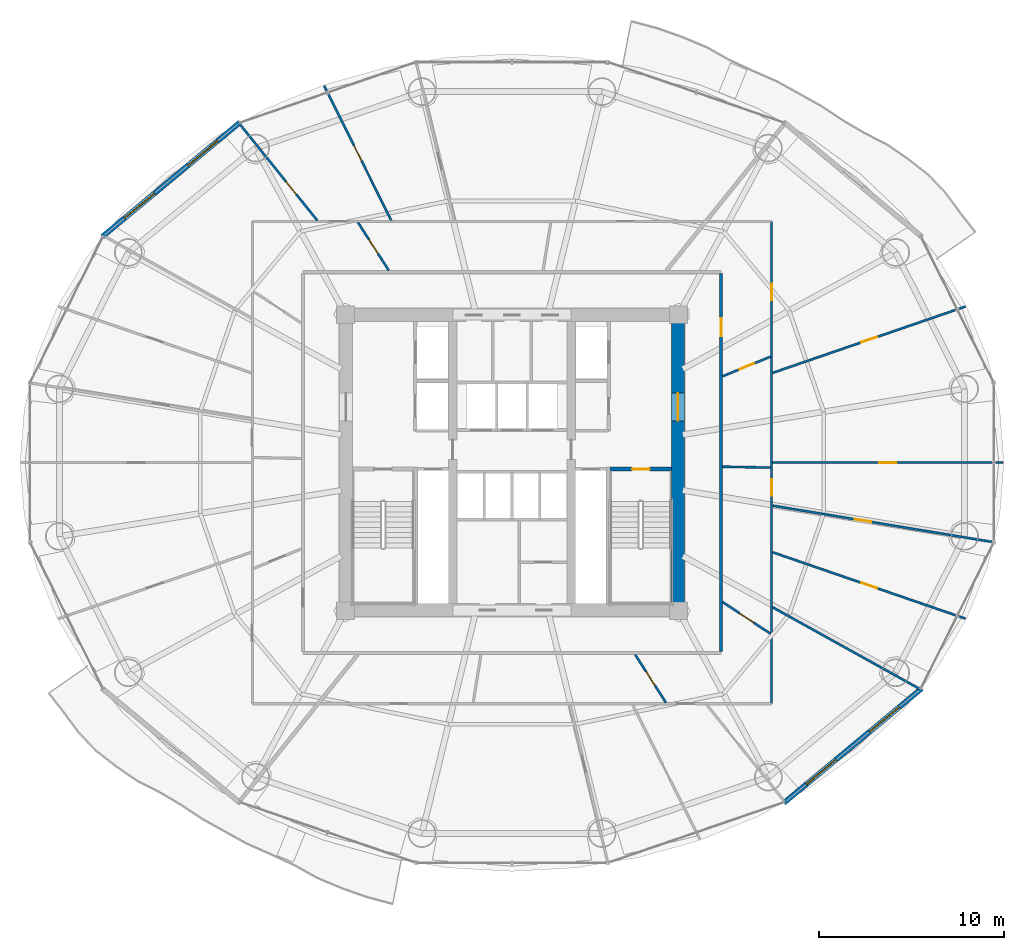
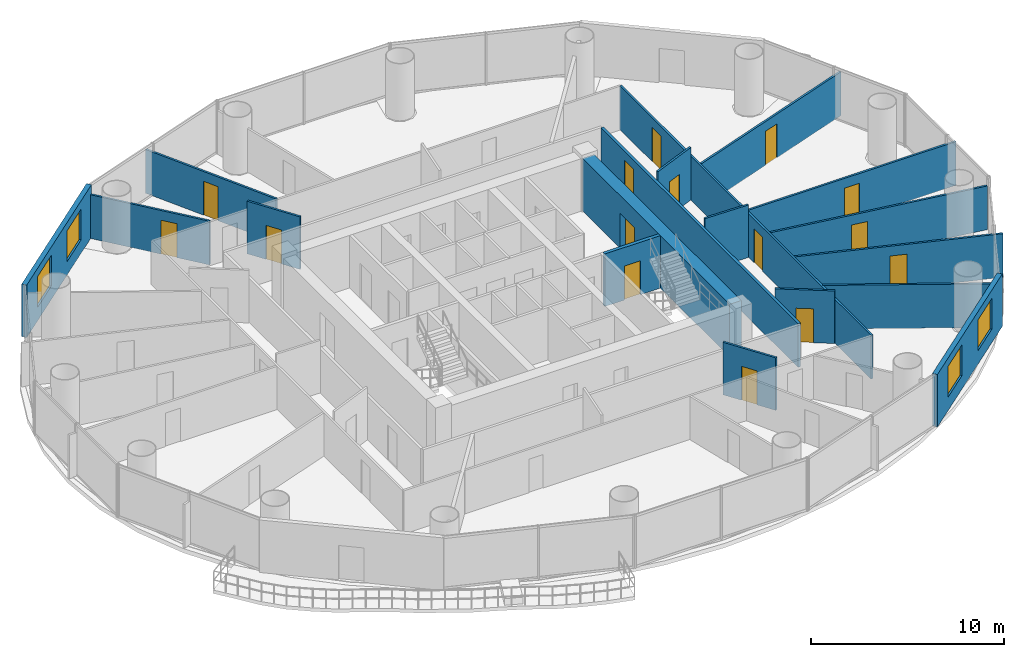
# One storey, part 24 of 29: 18 walls, 15 doors, 4 windows, 19 openings.
"""IFC4 building model written with IfcOpenShell, lengths in metres."""

from ifc_helpers import new_model, si_unit, direction, frame, frame_2d, origin, place, context, subcontext, project, spatial, rectangle, extrude, source, transform, mapped, material, layer, layer_set, type_object, element, fill, save


model = new_model("IFC4")

# Units and contexts
model_context = context("Model", 3, precision=1e-05, world=origin(), true_north=direction((-0.2419218956, 0.970295726276)))
body_context = subcontext(model_context, "Body", "Model", "MODEL_VIEW")
ifc_project = project(units=[si_unit("LENGTHUNIT", "METRE"), si_unit("AREAUNIT", "SQUARE_METRE"), si_unit("VOLUMEUNIT", "CUBIC_METRE"), si_unit("PLANEANGLEUNIT", "RADIAN"), si_unit("MASSUNIT", "GRAM", prefix="KILO")], contexts=[model_context])

# Site, building, storey
site_placement = place(None, origin())
site = spatial("IfcSite", under=ifc_project, at=site_placement, CompositionType="ELEMENT")
building_placement = place(site_placement, origin())
building = spatial("IfcBuilding", under=site, at=building_placement, Name="Cobrevalo Terracotta Tower", CompositionType="ELEMENT")
storey_placement = place(building_placement, frame((0.0, 0.0, 119.39990234375)))
storey = spatial("IfcBuildingStorey", under=building, at=storey_placement, Name="L31", CompositionType="ELEMENT", Elevation=119.39990234375)

# Wall, opening, door
ifc_material_1 = material(Name="Concrete C60", Category="concrete")
ifc_layer_1 = layer(ifc_material_1, 0.699951171875)
ifc_layer_set_1 = layer_set([ifc_layer_1], Name="Concrete C60")
wall_type_1 = type_object("IfcWallType", Name="Core shear wall 700 mm Concrete C60", PredefinedType="SHEAR", material=ifc_layer_set_1)
wall_1_placement = place(storey_placement, frame((46.97509765625, 19.175048828125, 0.0), z_axis=(0.0, 0.0, 1.0), x_axis=(0.0, 1.0, 0.0)))
wall_1 = element("IfcWall", 1, at=wall_1_placement, inside=storey, type_object=wall_type_1, Name="L31 east core shear wall", PredefinedType="SHEAR", context=body_context, shape_type="SweptSolid", body=[
    extrude(rectangle(XDim=15.25, YDim=0.699951171875, at=frame_2d((7.625, 0.0))), origin(), (0.0, 0.0, 1.0), 3.3251953125),
])
opening_1_placement = place(wall_1_placement, frame((9.875, 0.0, 0.0)))
opening_1 = element("IfcOpeningElement", 2, at=opening_1_placement, cuts=wall_1, Name="Opening ID-14", PredefinedType="OPENING", context=body_context, shape_type="SweptSolid", body=[
    extrude(rectangle(XDim=1.5, YDim=2.199951171875, at=frame_2d((0.75, 1.10009765625))), frame((0.0, 0.35986328125, 0.0), z_axis=(0.0, -1.0, 0.0), x_axis=(1.0, 0.0, 0.0)), (0.0, 0.0, 1.0), 0.719970703125),
])
ifc_material_2 = material(Name="Galvanized fire-rated steel", Category="steel")
door_type_1 = type_object("IfcDoorType", Name="Core cross-lobby double fire door 1500x2200 EI 90", OperationType="NOTDEFINED", PredefinedType="DOOR", material=ifc_material_2)
shared_shape_1 = source(origin(), body_context, "Body", "SweptSolid", [
    extrude(rectangle(XDim=1.5, YDim=2.199951171875, at=frame_2d((0.75, 1.10009765625))), frame((0.0, 0.02490234375, 0.0), z_axis=(0.0, -1.0, 0.0), x_axis=(1.0, 0.0, 0.0)), (0.0, 0.0, 1.0), 0.050048828125),
])
door_1_placement = place(opening_1_placement, frame((1.5, 0.0, 0.0), z_axis=(0.0, 0.0, 1.0), x_axis=(-1.0, 0.0, 0.0)))
door_1 = element("IfcDoor", 3, at=door_1_placement, inside=storey, type_object=door_type_1, Name="L31 east firefighting lobby entrance door", OperationType="DOUBLE_DOOR_SINGLE_SWING", OverallHeight=2.199951171875, OverallWidth=1.5, PredefinedType="DOOR", context=body_context, shape_type="MappedRepresentation", body=[
    mapped(shared_shape_1, transform((0.0, 0.0, 0.0), scale=1.0)),
])
fill(opening_1, door_1)

ifc_material_3 = material(Name="Gypsum board on steel stud", Category="steel")
ifc_layer_2 = layer(ifc_material_3, 0.159912109375)
ifc_layer_set_2 = layer_set([ifc_layer_2], Name="Gypsum board on steel stud")
wall_type_2 = type_object("IfcWallType", Name="Fire-rated corridor acoustic partition wall 160 mm", PredefinedType="PARTITIONING", material=ifc_layer_set_2)
wall_2_placement = place(storey_placement, frame((49.304931640625, 16.574951171875, 0.0), z_axis=(0.0, 0.0, 1.0), x_axis=(0.0, 1.0, 0.0)))
wall_2 = element("IfcWall", 4, at=wall_2_placement, inside=storey, type_object=wall_type_2, Name="L31 interior partition IW-L31-COR-E", PredefinedType="PARTITIONING", context=body_context, shape_type="SweptSolid", body=[
    extrude(rectangle(XDim=20.449951171875, YDim=0.159912109375, at=frame_2d((10.22509765625, 0.0))), origin(), (0.0, 0.0, 1.0), 2.76708984375),
])
opening_2_placement = place(wall_2_placement, frame((17.045654296875, 0.0, 0.0)))
opening_2 = element("IfcOpeningElement", 5, at=opening_2_placement, cuts=wall_2, Name="Opening ID-05", PredefinedType="OPENING", context=body_context, shape_type="SweptSolid", body=[
    extrude(rectangle(XDim=0.97998046875, YDim=2.199951171875, at=frame_2d((0.489990234375, 1.10009765625))), frame((0.0, 0.08984375, 0.0), z_axis=(0.0, -1.0, 0.0), x_axis=(1.0, 0.0, 0.0)), (0.0, 0.0, 1.0), 0.179931640625),
])
ifc_material_4 = material(Name="Solid hardwood timber", Category="wood")
door_type_2 = type_object("IfcDoorType", Name="Residence entrance fire-rated acoustic timber door 980x2200 EI 60", OperationType="NOTDEFINED", PredefinedType="DOOR", material=ifc_material_4)
shared_shape_2 = source(origin(), body_context, "Body", "SweptSolid", [
    extrude(rectangle(XDim=0.97998046875, YDim=2.199951171875, at=frame_2d((0.489990234375, 1.10009765625))), frame((0.0, 0.02490234375, 0.0), z_axis=(0.0, -1.0, 0.0), x_axis=(1.0, 0.0, 0.0)), (0.0, 0.0, 1.0), 0.050048828125),
])
door_2_placement = place(opening_2_placement, frame((0.97998046875, 0.0, 0.0), z_axis=(0.0, 0.0, 1.0), x_axis=(-1.0, 0.0, 0.0)))
door_2 = element("IfcDoor", 6, at=door_2_placement, inside=storey, type_object=door_type_2, Name="Flat L31B fire-rated apartment entrance door", OperationType="SINGLE_SWING_RIGHT", OverallHeight=2.199951171875, OverallWidth=0.97998046875, PredefinedType="DOOR", context=body_context, shape_type="MappedRepresentation", body=[
    mapped(shared_shape_2, transform((0.0, 0.0, 0.0), scale=1.0)),
])
fill(opening_2, door_2)

# Wall, openings, windows
ifc_material_5 = material(Name="Autoclaved aerated concrete block", Category="concrete")
ifc_layer_3 = layer(ifc_material_5, 0.280029296875)
ifc_layer_set_3 = layer_set([ifc_layer_3], Name="Autoclaved aerated concrete block")
wall_type_3 = type_object("IfcWallType", Name="Insulated tower spandrel & pier wall 280 mm with terracotta rainscreen", PredefinedType="SOLIDWALL", material=ifc_layer_set_3)
wall_3_placement = place(storey_placement, frame((23.300048828125, 45.20166015625, 0.0), z_axis=(0.0, 0.0, 1.0), x_axis=(-0.769242574941, -0.638956853706, 0.0)))
wall_3 = element("IfcWall", 7, at=wall_3_placement, inside=storey, type_object=wall_type_3, Name="L31 terracotta rainscreen pier wall S06", PredefinedType="SOLIDWALL", context=body_context, shape_type="SweptSolid", body=[
    extrude(rectangle(XDim=9.68994140625, YDim=0.280029296875, at=frame_2d((4.844970703125, 0.0))), origin(), (0.0, 0.0, 1.0), 3.3251953125),
])
opening_3_placement = place(wall_3_placement, frame((1.566162109375, 0.0, 0.85009765625)))
opening_3 = element("IfcOpeningElement", 8, at=opening_3_placement, cuts=wall_3, Name="Opening WN-10", PredefinedType="OPENING", context=body_context, shape_type="SweptSolid", body=[
    extrude(rectangle(XDim=2.10009765625, YDim=1.949951171875, at=frame_2d((1.050048828125, 0.97509765625))), frame((0.0, 0.14990234375, 0.0), z_axis=(0.0, -1.0, 0.0), x_axis=(1.0, 0.0, 0.0)), (0.0, 0.0, 1.0), 0.300048828125),
])
opening_4_placement = place(wall_3_placement, frame((6.0234375, 0.0, 0.85009765625)))
opening_4 = element("IfcOpeningElement", 9, at=opening_4_placement, cuts=wall_3, Name="Opening WN-10", PredefinedType="OPENING", context=body_context, shape_type="SweptSolid", body=[
    extrude(rectangle(XDim=2.10009765625, YDim=1.949951171875, at=frame_2d((1.050048828125, 0.97509765625))), frame((0.0, 0.14990234375, 0.0), z_axis=(0.0, -1.0, 0.0), x_axis=(1.0, 0.0, 0.0)), (0.0, 0.0, 1.0), 0.300048828125),
])
ifc_material_6 = material(Name="Solar-control low-E double glazing", Category="glass")
window_type = type_object("IfcWindowType", Name="Wide panoramic low-E aluminium window 2100x1950", PartitioningType="SINGLE_PANEL", PredefinedType="WINDOW", material=ifc_material_6)
shared_shape_3 = source(origin(), body_context, "Body", "SweptSolid", [
    extrude(rectangle(XDim=2.10009765625, YDim=1.949951171875, at=frame_2d((1.050048828125, 0.97509765625))), frame((0.0, 0.030029296875, 0.0), z_axis=(0.0, -1.0, 0.0), x_axis=(1.0, 0.0, 0.0)), (0.0, 0.0, 1.0), 0.06005859375),
])
window_1_placement = place(opening_3_placement, origin())
window_1 = element("IfcWindow", 10, at=window_1_placement, inside=storey, type_object=window_type, Name="L31 suite window S06A", OverallHeight=1.949951171875, OverallWidth=2.10009765625, PartitioningType="SINGLE_PANEL", PredefinedType="WINDOW", context=body_context, shape_type="MappedRepresentation", body=[
    mapped(shared_shape_3, transform((0.0, 0.0, 0.0), scale=1.0)),
])
fill(opening_3, window_1)
window_2_placement = place(opening_4_placement, origin())
window_2 = element("IfcWindow", 11, at=window_2_placement, inside=storey, type_object=window_type, Name="L31 suite window S06B", OverallHeight=1.949951171875, OverallWidth=2.10009765625, PartitioningType="SINGLE_PANEL", PredefinedType="WINDOW", context=body_context, shape_type="MappedRepresentation", body=[
    mapped(shared_shape_3, transform((0.0, 0.0, 0.0), scale=1.0)),
])
fill(opening_4, window_2)

wall_4_placement = place(storey_placement, frame((52.699951171875, 8.3984375, 0.0), z_axis=(0.0, 0.0, 1.0), x_axis=(0.769254958887, 0.638941944333, 0.0)))
wall_4 = element("IfcWall", 12, at=wall_4_placement, inside=storey, type_object=wall_type_3, Name="L31 terracotta rainscreen pier wall S14", PredefinedType="SOLIDWALL", context=body_context, shape_type="SweptSolid", body=[
    extrude(rectangle(XDim=9.689697265625, YDim=0.280029296875, at=frame_2d((4.8447265625, 0.0))), origin(), (0.0, 0.0, 1.0), 3.3251953125),
])
opening_5_placement = place(wall_4_placement, frame((1.566162109375, 0.0, 0.85009765625)))
opening_5 = element("IfcOpeningElement", 13, at=opening_5_placement, cuts=wall_4, Name="Opening WN-10", PredefinedType="OPENING", context=body_context, shape_type="SweptSolid", body=[
    extrude(rectangle(XDim=2.10009765625, YDim=1.949951171875, at=frame_2d((1.050048828125, 0.97509765625))), frame((0.0, 0.14990234375, 0.0), z_axis=(0.0, -1.0, 0.0), x_axis=(1.0, 0.0, 0.0)), (0.0, 0.0, 1.0), 0.300048828125),
])
opening_6_placement = place(wall_4_placement, frame((6.0234375, 0.0, 0.85009765625)))
opening_6 = element("IfcOpeningElement", 14, at=opening_6_placement, cuts=wall_4, Name="Opening WN-10", PredefinedType="OPENING", context=body_context, shape_type="SweptSolid", body=[
    extrude(rectangle(XDim=2.10009765625, YDim=1.949951171875, at=frame_2d((1.050048828125, 0.97509765625))), frame((0.0, 0.14990234375, 0.0), z_axis=(0.0, -1.0, 0.0), x_axis=(1.0, 0.0, 0.0)), (0.0, 0.0, 1.0), 0.300048828125),
])
window_3_placement = place(opening_5_placement, origin())
window_3 = element("IfcWindow", 15, at=window_3_placement, inside=storey, type_object=window_type, Name="L31 suite window S14A", OverallHeight=1.949951171875, OverallWidth=2.10009765625, PartitioningType="SINGLE_PANEL", PredefinedType="WINDOW", context=body_context, shape_type="MappedRepresentation", body=[
    mapped(shared_shape_3, transform((0.0, 0.0, 0.0), scale=1.0)),
])
fill(opening_5, window_3)
window_4_placement = place(opening_6_placement, origin())
window_4 = element("IfcWindow", 16, at=window_4_placement, inside=storey, type_object=window_type, Name="L31 suite window S14B", OverallHeight=1.949951171875, OverallWidth=2.10009765625, PartitioningType="SINGLE_PANEL", PredefinedType="WINDOW", context=body_context, shape_type="MappedRepresentation", body=[
    mapped(shared_shape_3, transform((0.0, 0.0, 0.0), scale=1.0)),
])
fill(opening_6, window_4)

# Wall, opening, door
ifc_layer_4 = layer(ifc_material_3, 0.1201171875)
ifc_layer_set_4 = layer_set([ifc_layer_4], Name="Gypsum board on steel stud")
wall_type_4 = type_object("IfcWallType", Name="Residential internal acoustic stud partition 120 mm", PredefinedType="PARTITIONING", material=ifc_layer_set_4)
wall_5_placement = place(storey_placement, frame((31.4736328125, 39.890380859375, 0.0), z_axis=(0.0, 0.0, 1.0), x_axis=(-0.446167584581, 0.894949432353, 0.0)))
wall_5 = element("IfcWall", 17, at=wall_5_placement, inside=storey, type_object=wall_type_4, Name="L31 interior partition IW-L31-U1-ORAD2M1", PredefinedType="PARTITIONING", context=body_context, shape_type="SweptSolid", body=[
    extrude(rectangle(XDim=8.124755859375, YDim=0.1201171875, at=frame_2d((4.0625, 0.0))), origin(), (0.0, 0.0, 1.0), 2.76708984375),
])
opening_7_placement = place(wall_5_placement, frame((3.6123046875, 0.0, 0.0)))
opening_7 = element("IfcOpeningElement", 18, at=opening_7_placement, cuts=wall_5, Name="Opening ID-12", PredefinedType="OPENING", context=body_context, shape_type="SweptSolid", body=[
    extrude(rectangle(XDim=0.89990234375, YDim=2.14990234375, at=frame_2d((0.449951171875, 1.074951171875))), frame((0.0, 0.070068359375, 0.0), z_axis=(0.0, -1.0, 0.0), x_axis=(1.0, 0.0, 0.0)), (0.0, 0.0, 1.0), 0.14013671875),
])
ifc_material_7 = material(Name="Engineered timber", Category="wood")
door_type_3 = type_object("IfcDoorType", Name="Internal residence & suite timber door 900x2150", OperationType="NOTDEFINED", PredefinedType="DOOR", material=ifc_material_7)
shared_shape_4 = source(origin(), body_context, "Body", "SweptSolid", [
    extrude(rectangle(XDim=0.89990234375, YDim=2.14990234375, at=frame_2d((0.449951171875, 1.074951171875))), frame((0.0, 0.02490234375, 0.0), z_axis=(0.0, -1.0, 0.0), x_axis=(1.0, 0.0, 0.0)), (0.0, 0.0, 1.0), 0.050048828125),
])
door_3_placement = place(opening_7_placement, frame((0.89990234375, 0.0, 0.0), z_axis=(0.0, 0.0, 1.0), x_axis=(-1.0, 0.0, 0.0)))
door_3 = element("IfcDoor", 19, at=door_3_placement, inside=storey, type_object=door_type_3, Name="Flat L31A Master Bedroom internal door", OperationType="SINGLE_SWING_LEFT", OverallHeight=2.14990234375, OverallWidth=0.89990234375, PredefinedType="DOOR", context=body_context, shape_type="MappedRepresentation", body=[
    mapped(shared_shape_4, transform((0.0, 0.0, 0.0), scale=1.0)),
])
fill(opening_7, door_3)

wall_6_placement = place(storey_placement, frame((27.47802734375, 39.88330078125, 0.0), z_axis=(0.0, 0.0, 1.0), x_axis=(-0.62672583251, 0.779239841682, 0.0)))
wall_6 = element("IfcWall", 20, at=wall_6_placement, inside=storey, type_object=wall_type_4, Name="L31 interior partition IW-L31-U1-ORAD2", PredefinedType="PARTITIONING", context=body_context, shape_type="SweptSolid", body=[
    extrude(rectangle(XDim=6.678466796875, YDim=0.1201171875, at=frame_2d((3.33935546875, 0.0))), origin(), (0.0, 0.0, 1.0), 2.76708984375),
])
opening_8_placement = place(wall_6_placement, frame((1.8212890625, 0.0, 0.0)))
opening_8 = element("IfcOpeningElement", 21, at=opening_8_placement, cuts=wall_6, Name="Opening ID-12", PredefinedType="OPENING", context=body_context, shape_type="SweptSolid", body=[
    extrude(rectangle(XDim=0.89990234375, YDim=2.14990234375, at=frame_2d((0.449951171875, 1.074951171875))), frame((0.0, 0.070068359375, 0.0), z_axis=(0.0, -1.0, 0.0), x_axis=(1.0, 0.0, 0.0)), (0.0, 0.0, 1.0), 0.14013671875),
])
door_4_placement = place(opening_8_placement, origin())
door_4 = element("IfcDoor", 22, at=door_4_placement, inside=storey, type_object=door_type_3, Name="Flat L31A Principal Guest Bedroom internal door", OperationType="SINGLE_SWING_RIGHT", OverallHeight=2.14990234375, OverallWidth=0.89990234375, PredefinedType="DOOR", context=body_context, shape_type="MappedRepresentation", body=[
    mapped(shared_shape_4, transform((0.0, 0.0, 0.0), scale=1.0)),
])
fill(opening_8, door_4)

wall_7_placement = place(storey_placement, frame((31.33984375, 37.18505859375, 0.0), z_axis=(0.0, 0.0, 1.0), x_axis=(-0.539861631895, 0.841753775405, 0.0)))
wall_7 = element("IfcWall", 23, at=wall_7_placement, inside=storey, type_object=wall_type_4, Name="L31 interior partition IW-L31-U1-IRAD2", PredefinedType="PARTITIONING", context=body_context, shape_type="SweptSolid", body=[
    extrude(rectangle(XDim=3.0859375, YDim=0.1201171875, at=frame_2d((1.54296875, 0.0))), origin(), (0.0, 0.0, 1.0), 3.3251953125),
])
opening_9_placement = place(wall_7_placement, frame((1.093017578125, 0.0, 0.0)))
opening_9 = element("IfcOpeningElement", 24, at=opening_9_placement, cuts=wall_7, Name="Opening ID-12", PredefinedType="OPENING", context=body_context, shape_type="SweptSolid", body=[
    extrude(rectangle(XDim=0.89990234375, YDim=2.14990234375, at=frame_2d((0.449951171875, 1.074951171875))), frame((0.0, 0.070068359375, 0.0), z_axis=(0.0, -1.0, 0.0), x_axis=(1.0, 0.0, 0.0)), (0.0, 0.0, 1.0), 0.14013671875),
])
door_5_placement = place(opening_9_placement, frame((0.89990234375, 0.0, 0.0), z_axis=(0.0, 0.0, 1.0), x_axis=(-1.0, 0.0, 0.0)))
door_5 = element("IfcDoor", 25, at=door_5_placement, inside=storey, type_object=door_type_3, Name="Flat L31A Utility Closet internal door", OperationType="SINGLE_SWING_RIGHT", OverallHeight=2.14990234375, OverallWidth=0.89990234375, PredefinedType="DOOR", context=body_context, shape_type="MappedRepresentation", body=[
    mapped(shared_shape_4, transform((0.0, 0.0, 0.0), scale=1.0)),
])
fill(opening_9, door_5)

# Wall, openings, doors
wall_8_placement = place(storey_placement, frame((52.034912109375, 39.8349609375, 0.0), z_axis=(0.0, 0.0, 1.0), x_axis=(0.0, -1.0, 0.0)))
wall_8 = element("IfcWall", 26, at=wall_8_placement, inside=storey, type_object=wall_type_4, Name="L31 interior partition IW-L31-U2-RING1_0", PredefinedType="PARTITIONING", context=body_context, shape_type="SweptSolid", body=[
    extrude(rectangle(XDim=26.070068359375, YDim=0.1201171875, at=frame_2d((13.03515625, 0.0))), origin(), (0.0, 0.0, 1.0), 2.76708984375),
])
opening_10_placement = place(wall_8_placement, frame((3.362060546875, 0.0, 0.0)))
opening_10 = element("IfcOpeningElement", 27, at=opening_10_placement, cuts=wall_8, Name="Opening ID-12", PredefinedType="OPENING", context=body_context, shape_type="SweptSolid", body=[
    extrude(rectangle(XDim=0.89990234375, YDim=2.14990234375, at=frame_2d((0.449951171875, 1.074951171875))), frame((0.0, 0.070068359375, 0.0), z_axis=(0.0, -1.0, 0.0), x_axis=(1.0, 0.0, 0.0)), (0.0, 0.0, 1.0), 0.14013671875),
])
opening_11_placement = place(wall_8_placement, frame((13.923583984375, 0.0, 0.0)))
opening_11 = element("IfcOpeningElement", 28, at=opening_11_placement, cuts=wall_8, Name="Opening ID-12", PredefinedType="OPENING", context=body_context, shape_type="SweptSolid", body=[
    extrude(rectangle(XDim=0.89990234375, YDim=2.14990234375, at=frame_2d((0.449951171875, 1.074951171875))), frame((0.0, 0.070068359375, 0.0), z_axis=(0.0, -1.0, 0.0), x_axis=(1.0, 0.0, 0.0)), (0.0, 0.0, 1.0), 0.14013671875),
])
door_6_placement = place(opening_10_placement, origin())
door_6 = element("IfcDoor", 29, at=door_6_placement, inside=storey, type_object=door_type_3, Name="Flat L31B Private Cinema Room internal door", OperationType="SINGLE_SWING_RIGHT", OverallHeight=2.14990234375, OverallWidth=0.89990234375, PredefinedType="DOOR", context=body_context, shape_type="MappedRepresentation", body=[
    mapped(shared_shape_4, transform((0.0, 0.0, 0.0), scale=1.0)),
])
fill(opening_10, door_6)
door_7_placement = place(opening_11_placement, frame((0.89990234375, 0.0, 0.0), z_axis=(0.0, 0.0, 1.0), x_axis=(-1.0, 0.0, 0.0)))
door_7 = element("IfcDoor", 30, at=door_7_placement, inside=storey, type_object=door_type_3, Name="Flat L31B Kitchen internal door", OperationType="SINGLE_SWING_LEFT", OverallHeight=2.14990234375, OverallWidth=0.89990234375, PredefinedType="DOOR", context=body_context, shape_type="MappedRepresentation", body=[
    mapped(shared_shape_4, transform((0.0, 0.0, 0.0), scale=1.0)),
])
fill(opening_11, door_7)

# Wall
wall_9_placement = place(storey_placement, frame((52.089111328125, 18.978515625, 0.0), z_axis=(0.0, 0.0, 1.0), x_axis=(0.874313476423, -0.485361664066, 0.0)))
element("IfcWall", 31, at=wall_9_placement, inside=storey, type_object=wall_type_4, Name="L31 interior partition IW-L31-U2-ORAD3", PredefinedType="PARTITIONING", context=body_context, shape_type="SweptSolid", body=[
    extrude(rectangle(XDim=9.065673828125, YDim=0.1201171875, at=frame_2d((4.53271484375, 0.0))), origin(), (0.0, 0.0, 1.0), 2.76708984375),
])

# Wall, opening, door
wall_10_placement = place(storey_placement, frame((52.09375, 21.94970703125, 0.0), z_axis=(0.0, 0.0, 1.0), x_axis=(0.945573120726, -0.32540970078, 0.0)))
wall_10 = element("IfcWall", 32, at=wall_10_placement, inside=storey, type_object=wall_type_4, Name="L31 interior partition IW-L31-U2-ORAD4M1", PredefinedType="PARTITIONING", context=body_context, shape_type="SweptSolid", body=[
    extrude(rectangle(XDim=11.02197265625, YDim=0.1201171875, at=frame_2d((5.510986328125, 0.0))), origin(), (0.0, 0.0, 1.0), 2.76708984375),
])
opening_12_placement = place(wall_10_placement, frame((5.06103515625, 0.0, 0.0)))
opening_12 = element("IfcOpeningElement", 33, at=opening_12_placement, cuts=wall_10, Name="Opening ID-12", PredefinedType="OPENING", context=body_context, shape_type="SweptSolid", body=[
    extrude(rectangle(XDim=0.89990234375, YDim=2.14990234375, at=frame_2d((0.449951171875, 1.074951171875))), frame((0.0, 0.070068359375, 0.0), z_axis=(0.0, -1.0, 0.0), x_axis=(1.0, 0.0, 0.0)), (0.0, 0.0, 1.0), 0.14013671875),
])
door_8_placement = place(opening_12_placement, frame((0.89990234375, 0.0, 0.0), z_axis=(0.0, 0.0, 1.0), x_axis=(-1.0, 0.0, 0.0)))
door_8 = element("IfcDoor", 34, at=door_8_placement, inside=storey, type_object=door_type_3, Name="Flat L31B South Bedroom internal door", OperationType="SINGLE_SWING_RIGHT", OverallHeight=2.14990234375, OverallWidth=0.89990234375, PredefinedType="DOOR", context=body_context, shape_type="MappedRepresentation", body=[
    mapped(shared_shape_4, transform((0.0, 0.0, 0.0), scale=1.0)),
])
fill(opening_12, door_8)

wall_11_placement = place(storey_placement, frame((52.09619140625, 24.470458984375, 0.0), z_axis=(0.0, 0.0, 1.0), x_axis=(0.986618264768, -0.163047231274, 0.0)))
wall_11 = element("IfcWall", 35, at=wall_11_placement, inside=storey, type_object=wall_type_4, Name="L31 interior partition IW-L31-U2-ORAD4M2", PredefinedType="PARTITIONING", context=body_context, shape_type="SweptSolid", body=[
    extrude(rectangle(XDim=12.038818359375, YDim=0.1201171875, at=frame_2d((6.01953125, 0.0))), origin(), (0.0, 0.0, 1.0), 2.76708984375),
])
opening_13_placement = place(wall_11_placement, frame((4.496337890625, 0.0, 0.0)))
opening_13 = element("IfcOpeningElement", 36, at=opening_13_placement, cuts=wall_11, Name="Opening ID-12", PredefinedType="OPENING", context=body_context, shape_type="SweptSolid", body=[
    extrude(rectangle(XDim=0.89990234375, YDim=2.14990234375, at=frame_2d((0.449951171875, 1.074951171875))), frame((0.0, 0.070068359375, 0.0), z_axis=(0.0, -1.0, 0.0), x_axis=(1.0, 0.0, 0.0)), (0.0, 0.0, 1.0), 0.14013671875),
])
door_9_placement = place(opening_13_placement, frame((0.89990234375, 0.0, 0.0), z_axis=(0.0, 0.0, 1.0), x_axis=(-1.0, 0.0, 0.0)))
door_9 = element("IfcDoor", 37, at=door_9_placement, inside=storey, type_object=door_type_3, Name="Flat L31B Penthouse Family Lounge internal door", OperationType="SINGLE_SWING_RIGHT", OverallHeight=2.14990234375, OverallWidth=0.89990234375, PredefinedType="DOOR", context=body_context, shape_type="MappedRepresentation", body=[
    mapped(shared_shape_4, transform((0.0, 0.0, 0.0), scale=1.0)),
])
fill(opening_13, door_9)

wall_12_placement = place(storey_placement, frame((52.096923828125, 26.800048828125, 0.0), z_axis=(0.0, 0.0, 1.0), x_axis=(1.0, 0.0, 0.0)))
wall_12 = element("IfcWall", 38, at=wall_12_placement, inside=storey, type_object=wall_type_4, Name="L31 interior partition IW-L31-U2-ORAD4", PredefinedType="PARTITIONING", context=body_context, shape_type="SweptSolid", body=[
    extrude(rectangle(XDim=12.443115234375, YDim=0.1201171875, at=frame_2d((6.2216796875, 0.0))), origin(), (0.0, 0.0, 1.0), 2.76708984375),
])
opening_14_placement = place(wall_12_placement, frame((5.771484375, 0.0, 0.0)))
opening_14 = element("IfcOpeningElement", 39, at=opening_14_placement, cuts=wall_12, Name="Opening ID-12", PredefinedType="OPENING", context=body_context, shape_type="SweptSolid", body=[
    extrude(rectangle(XDim=0.89990234375, YDim=2.14990234375, at=frame_2d((0.449951171875, 1.074951171875))), frame((0.0, 0.070068359375, 0.0), z_axis=(0.0, -1.0, 0.0), x_axis=(1.0, 0.0, 0.0)), (0.0, 0.0, 1.0), 0.14013671875),
])
door_10_placement = place(opening_14_placement, frame((0.89990234375, 0.0, 0.0), z_axis=(0.0, 0.0, 1.0), x_axis=(-1.0, 0.0, 0.0)))
door_10 = element("IfcDoor", 40, at=door_10_placement, inside=storey, type_object=door_type_3, Name="Flat L31B Penthouse Family Lounge internal door", OperationType="SINGLE_SWING_RIGHT", OverallHeight=2.14990234375, OverallWidth=0.89990234375, PredefinedType="DOOR", context=body_context, shape_type="MappedRepresentation", body=[
    mapped(shared_shape_4, transform((0.0, 0.0, 0.0), scale=1.0)),
])
fill(opening_14, door_10)

wall_13_placement = place(storey_placement, frame((52.09375, 31.650146484375, 0.0), z_axis=(0.0, 0.0, 1.0), x_axis=(0.945573120726, 0.32540970078, 0.0)))
wall_13 = element("IfcWall", 41, at=wall_13_placement, inside=storey, type_object=wall_type_4, Name="L31 interior partition IW-L31-U2-ORAD5", PredefinedType="PARTITIONING", context=body_context, shape_type="SweptSolid", body=[
    extrude(rectangle(XDim=11.02197265625, YDim=0.1201171875, at=frame_2d((5.510986328125, 0.0))), origin(), (0.0, 0.0, 1.0), 2.76708984375),
])
opening_15_placement = place(wall_13_placement, frame((5.06103515625, 0.0, 0.0)))
opening_15 = element("IfcOpeningElement", 42, at=opening_15_placement, cuts=wall_13, Name="Opening ID-12", PredefinedType="OPENING", context=body_context, shape_type="SweptSolid", body=[
    extrude(rectangle(XDim=0.89990234375, YDim=2.14990234375, at=frame_2d((0.449951171875, 1.074951171875))), frame((0.0, 0.070068359375, 0.0), z_axis=(0.0, -1.0, 0.0), x_axis=(1.0, 0.0, 0.0)), (0.0, 0.0, 1.0), 0.14013671875),
])
door_11_placement = place(opening_15_placement, frame((0.89990234375, 0.0, 0.0), z_axis=(0.0, 0.0, 1.0), x_axis=(-1.0, 0.0, 0.0)))
door_11 = element("IfcDoor", 43, at=door_11_placement, inside=storey, type_object=door_type_3, Name="Flat L31B Penthouse Family Lounge internal door", OperationType="SINGLE_SWING_LEFT", OverallHeight=2.14990234375, OverallWidth=0.89990234375, PredefinedType="DOOR", context=body_context, shape_type="MappedRepresentation", body=[
    mapped(shared_shape_4, transform((0.0, 0.0, 0.0), scale=1.0)),
])
fill(opening_15, door_11)

wall_14_placement = place(storey_placement, frame((44.66015625, 16.4150390625, 0.0), z_axis=(0.0, 0.0, 1.0), x_axis=(0.539825682796, -0.841776830397, 0.0)))
wall_14 = element("IfcWall", 44, at=wall_14_placement, inside=storey, type_object=wall_type_4, Name="L31 interior partition IW-L31-U2-IRAD2", PredefinedType="PARTITIONING", context=body_context, shape_type="SweptSolid", body=[
    extrude(rectangle(XDim=3.086181640625, YDim=0.1201171875, at=frame_2d((1.54296875, 0.0))), origin(), (0.0, 0.0, 1.0), 3.3251953125),
])
opening_16_placement = place(wall_14_placement, frame((1.093017578125, 0.0, 0.0)))
opening_16 = element("IfcOpeningElement", 45, at=opening_16_placement, cuts=wall_14, Name="Opening ID-12", PredefinedType="OPENING", context=body_context, shape_type="SweptSolid", body=[
    extrude(rectangle(XDim=0.89990234375, YDim=2.14990234375, at=frame_2d((0.449951171875, 1.074951171875))), frame((0.0, 0.070068359375, 0.0), z_axis=(0.0, -1.0, 0.0), x_axis=(1.0, 0.0, 0.0)), (0.0, 0.0, 1.0), 0.14013671875),
])
door_12_placement = place(opening_16_placement, frame((0.89990234375, 0.0, 0.0), z_axis=(0.0, 0.0, 1.0), x_axis=(-1.0, 0.0, 0.0)))
door_12 = element("IfcDoor", 46, at=door_12_placement, inside=storey, type_object=door_type_3, Name="Flat L31B Utility Closet internal door", OperationType="SINGLE_SWING_LEFT", OverallHeight=2.14990234375, OverallWidth=0.89990234375, PredefinedType="DOOR", context=body_context, shape_type="MappedRepresentation", body=[
    mapped(shared_shape_4, transform((0.0, 0.0, 0.0), scale=1.0)),
])
fill(opening_16, door_12)

wall_15_placement = place(storey_placement, frame((49.38671875, 19.261474609375, 0.0), z_axis=(0.0, 0.0, 1.0), x_axis=(0.833806969544, -0.552056099993, 0.0)))
wall_15 = element("IfcWall", 47, at=wall_15_placement, inside=storey, type_object=wall_type_4, Name="L31 interior partition IW-L31-U2-IRAD3", PredefinedType="PARTITIONING", context=body_context, shape_type="SweptSolid", body=[
    extrude(rectangle(XDim=3.1142578125, YDim=0.1201171875, at=frame_2d((1.55712890625, 0.0))), origin(), (0.0, 0.0, 1.0), 3.3251953125),
])
opening_17_placement = place(wall_15_placement, frame((1.107177734375, 0.0, 0.0)))
opening_17 = element("IfcOpeningElement", 48, at=opening_17_placement, cuts=wall_15, Name="Opening ID-12", PredefinedType="OPENING", context=body_context, shape_type="SweptSolid", body=[
    extrude(rectangle(XDim=0.89990234375, YDim=2.14990234375, at=frame_2d((0.449951171875, 1.074951171875))), frame((0.0, 0.070068359375, 0.0), z_axis=(0.0, -1.0, 0.0), x_axis=(1.0, 0.0, 0.0)), (0.0, 0.0, 1.0), 0.14013671875),
])
door_13_placement = place(opening_17_placement, frame((0.89990234375, 0.0, 0.0), z_axis=(0.0, 0.0, 1.0), x_axis=(-1.0, 0.0, 0.0)))
door_13 = element("IfcDoor", 49, at=door_13_placement, inside=storey, type_object=door_type_3, Name="Flat L31B Private Wellness Room internal door", OperationType="SINGLE_SWING_LEFT", OverallHeight=2.14990234375, OverallWidth=0.89990234375, PredefinedType="DOOR", context=body_context, shape_type="MappedRepresentation", body=[
    mapped(shared_shape_4, transform((0.0, 0.0, 0.0), scale=1.0)),
])
fill(opening_17, door_13)

# Wall
wall_16_placement = place(storey_placement, frame((49.386962890625, 26.5771484375, 0.0), z_axis=(0.0, 0.0, 1.0), x_axis=(0.999807240787, -0.019633676934, 0.0)))
element("IfcWall", 50, at=wall_16_placement, inside=storey, type_object=wall_type_4, Name="L31 interior partition IW-L31-U2-IRAD4", PredefinedType="PARTITIONING", context=body_context, shape_type="SweptSolid", body=[
    extrude(rectangle(XDim=2.58642578125, YDim=0.1201171875, at=frame_2d((1.293212890625, 0.0))), origin(), (0.0, 0.0, 1.0), 3.3251953125),
])

# Wall, opening, door
wall_17_placement = place(storey_placement, frame((49.386962890625, 31.46533203125, 0.0), z_axis=(0.0, 0.0, 1.0), x_axis=(0.925328713836, 0.37916588896, 0.0)))
wall_17 = element("IfcWall", 51, at=wall_17_placement, inside=storey, type_object=wall_type_4, Name="L31 interior partition IW-L31-U2-IRAD5", PredefinedType="PARTITIONING", context=body_context, shape_type="SweptSolid", body=[
    extrude(rectangle(XDim=2.799560546875, YDim=0.1201171875, at=frame_2d((1.39990234375, 0.0))), origin(), (0.0, 0.0, 1.0), 3.3251953125),
])
opening_18_placement = place(wall_17_placement, frame((0.969970703125, 0.0, 0.0)))
opening_18 = element("IfcOpeningElement", 52, at=opening_18_placement, cuts=wall_17, Name="Opening ID-19", PredefinedType="OPENING", context=body_context, shape_type="SweptSolid", body=[
    extrude(rectangle(XDim=0.860107421875, YDim=2.14990234375, at=frame_2d((0.43017578125, 1.074951171875))), frame((0.0, 0.070068359375, 0.0), z_axis=(0.0, -1.0, 0.0), x_axis=(1.0, 0.0, 0.0)), (0.0, 0.0, 1.0), 0.14013671875),
])
ifc_material_8 = material(Name="Moisture-sealed timber", Category="wood")
door_type_4 = type_object("IfcDoorType", Name="Suite bathroom internal timber door 860x2150", OperationType="NOTDEFINED", PredefinedType="DOOR", material=ifc_material_8)
shared_shape_5 = source(origin(), body_context, "Body", "SweptSolid", [
    extrude(rectangle(XDim=0.860107421875, YDim=2.14990234375, at=frame_2d((0.43017578125, 1.074951171875))), frame((0.0, 0.02490234375, 0.0), z_axis=(0.0, -1.0, 0.0), x_axis=(1.0, 0.0, 0.0)), (0.0, 0.0, 1.0), 0.050048828125),
])
door_14_placement = place(opening_18_placement, frame((0.860107421875, 0.0, 0.0), z_axis=(0.0, 0.0, 1.0), x_axis=(-1.0, 0.0, 0.0)))
door_14 = element("IfcDoor", 53, at=door_14_placement, inside=storey, type_object=door_type_4, Name="Flat L31B Primary Bathroom internal door", OperationType="SINGLE_SWING_LEFT", OverallHeight=2.14990234375, OverallWidth=0.860107421875, PredefinedType="DOOR", context=body_context, shape_type="MappedRepresentation", body=[
    mapped(shared_shape_5, transform((0.0, 0.0, 0.0), scale=1.0)),
])
fill(opening_18, door_14)

ifc_material_9 = material(Name="Concrete C50", Category="concrete")
ifc_layer_5 = layer(ifc_material_9, 0.199951171875)
ifc_layer_set_5 = layer_set([ifc_layer_5], Name="Concrete C50")
wall_type_5 = type_object("IfcWallType", Name="Structural core & podium stair-shaft RC wall 200 mm Concrete C50", PredefinedType="SOLIDWALL", material=ifc_layer_set_5)
wall_18_placement = place(storey_placement, frame((43.304931640625, 26.449951171875, 0.0), z_axis=(0.0, 0.0, 1.0), x_axis=(1.0, 0.0, 0.0)))
wall_18 = element("IfcWall", 54, at=wall_18_placement, inside=storey, type_object=wall_type_5, Name="L31 ST-2 north structural shaft wall", PredefinedType="SOLIDWALL", context=body_context, shape_type="SweptSolid", body=[
    extrude(rectangle(XDim=3.320068359375, YDim=0.199951171875, at=frame_2d((1.66015625, 0.0))), origin(), (0.0, 0.0, 1.0), 3.3251953125),
])
opening_19_placement = place(wall_18_placement, frame((1.18505859375, 0.0, 0.0)))
opening_19 = element("IfcOpeningElement", 55, at=opening_19_placement, cuts=wall_18, Name="Opening ID-04", PredefinedType="OPENING", context=body_context, shape_type="SweptSolid", body=[
    extrude(rectangle(XDim=0.949951171875, YDim=2.14990234375, at=frame_2d((0.47509765625, 1.074951171875))), frame((0.0, 0.10986328125, 0.0), z_axis=(0.0, -1.0, 0.0), x_axis=(1.0, 0.0, 0.0)), (0.0, 0.0, 1.0), 0.219970703125),
])
door_type_5 = type_object("IfcDoorType", Name="Stair & firefighting lobby fire door 950x2150 EI 90", OperationType="NOTDEFINED", PredefinedType="DOOR", material=ifc_material_2)
shared_shape_6 = source(origin(), body_context, "Body", "SweptSolid", [
    extrude(rectangle(XDim=0.949951171875, YDim=2.14990234375, at=frame_2d((0.47509765625, 1.074951171875))), frame((0.0, 0.02490234375, 0.0), z_axis=(0.0, -1.0, 0.0), x_axis=(1.0, 0.0, 0.0)), (0.0, 0.0, 1.0), 0.050048828125),
])
door_15_placement = place(opening_19_placement, frame((0.949951171875, 0.0, 0.0), z_axis=(0.0, 0.0, 1.0), x_axis=(-1.0, 0.0, 0.0)))
door_15 = element("IfcDoor", 56, at=door_15_placement, inside=storey, type_object=door_type_5, Name="L31 protected stair ST2 fire door", OperationType="SINGLE_SWING_RIGHT", OverallHeight=2.14990234375, OverallWidth=0.949951171875, PredefinedType="DOOR", context=body_context, shape_type="MappedRepresentation", body=[
    mapped(shared_shape_6, transform((0.0, 0.0, 0.0), scale=1.0)),
])
fill(opening_19, door_15)

save(model, "model.ifc")
